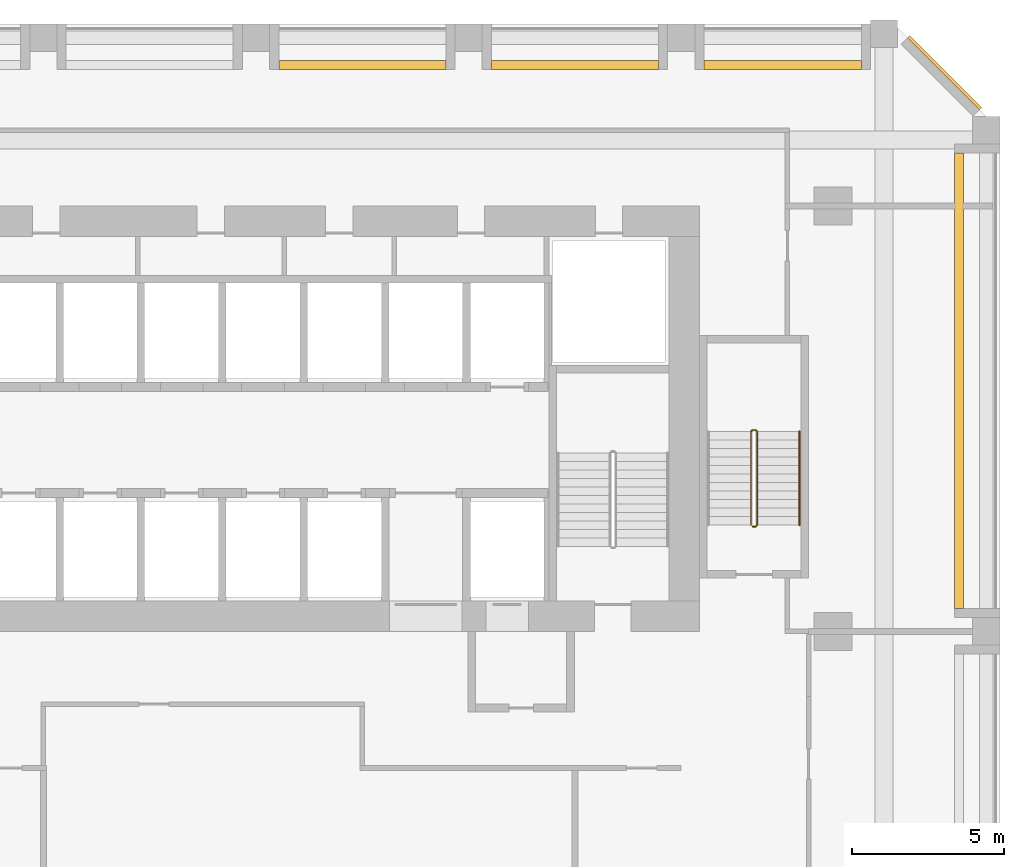
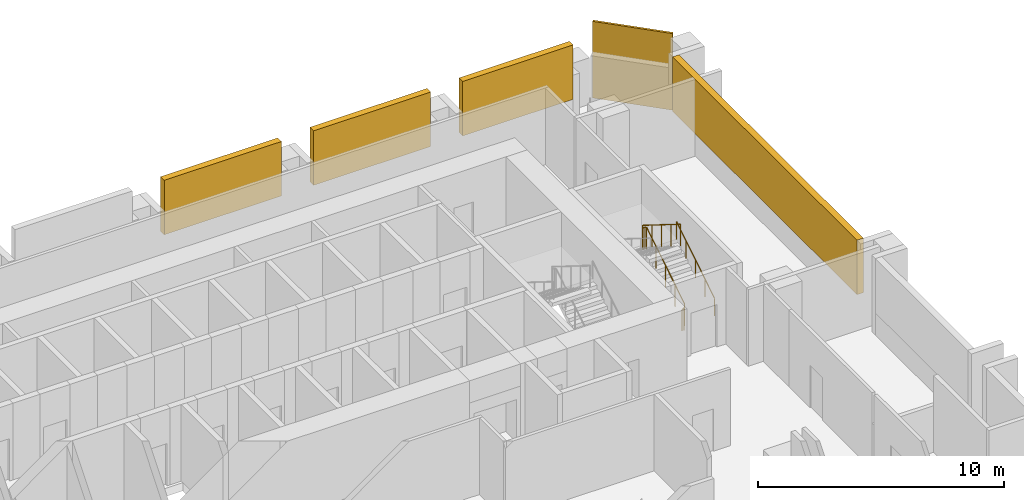
# One storey, part 10 of 10: 5 shading devices, 2 railings.
"""IFC4 building model written with IfcOpenShell, lengths in metres."""

from ifc_helpers import new_model, si_unit, direction, frame, origin, origin_2d, place, context, subcontext, project, spatial, rectangle, circle, extrude, source, transform, mapped, material, layer, layer_set, type_object, element, save


model = new_model("IFC4")

# Units and contexts
model_context = context("Model", 3, precision=1e-05, world=origin(), true_north=direction((0.0, 1.0)))
body_context = subcontext(model_context, "Body", "Model", "MODEL_VIEW")
ifc_project = project(units=[si_unit("LENGTHUNIT", "METRE"), si_unit("AREAUNIT", "SQUARE_METRE"), si_unit("VOLUMEUNIT", "CUBIC_METRE"), si_unit("PLANEANGLEUNIT", "RADIAN"), si_unit("MASSUNIT", "GRAM", prefix="KILO")], contexts=[model_context])

# Site, building, storey
site_placement = place(None, origin())
site = spatial("IfcSite", under=ifc_project, at=site_placement, CompositionType="ELEMENT")
building_placement = place(site_placement, origin())
building = spatial("IfcBuilding", under=site, at=building_placement, Name="Kilnfold Tower and Market Hall", CompositionType="ELEMENT")
storey_placement = place(building_placement, frame((0.0, 0.0, 59.0)))
storey = spatial("IfcBuildingStorey", under=building, at=storey_placement, Name="L13 Plant Transfer Level", CompositionType="ELEMENT", Elevation=59.0)

# Railings
ifc_material_1 = material(Name="Stainless steel 316", Category="steel")
railing_type_1 = type_object("IfcRailingType", Name="CORE STAIR GUARD 1100", PredefinedType="GUARDRAIL", material=ifc_material_1)
railing_1_placement = place(storey_placement, frame((19.85009765625, 11.449951171875, 0.0)))
element("IfcRailing", 1, at=railing_1_placement, inside=storey, type_object=railing_type_1, Name="L13 Plant Transfer Level ST5 stair guard 1", PredefinedType="GUARDRAIL", context=body_context, shape_type="SweptSolid", body=[
    extrude(circle(Radius=0.02392578125, at=origin_2d()), frame((0.0, 0.0, 1.076171875), z_axis=(1.0, 0.0, 0.0), x_axis=(0.0, 1.0, 0.0)), (0.0, 0.0, 1.0), 0.099853515625),
    extrude(circle(Radius=0.02392578125, at=origin_2d()), frame((0.099853515625, 0.0, 1.076171875), z_axis=(0.265065253269, 0.265065253269, 0.927081885822), x_axis=(-0.707106781187, 0.707106781187, 0.0)), (0.0, 0.0, 1.0), 0.188720703125),
    extrude(circle(Radius=0.02392578125, at=origin_2d()), frame((0.14990234375, 0.050048828125, 1.2509765625), z_axis=(0.0, 0.847998304005, 0.529998940003), x_axis=(-1.0, 0.0, 0.0)), (0.0, 0.0, 1.0), 3.632080078125),
    extrude(circle(Radius=0.02392578125, at=origin_2d()), frame((0.14990234375, 3.130126953125, 3.17626953125), z_axis=(-0.708833529934, 0.705375805398, 0.0), x_axis=(-0.705375805398, -0.708833529934, 0.0)), (0.0, 0.0, 1.0), 0.070556640625),
    extrude(circle(Radius=0.02392578125, at=origin_2d()), frame((0.099853515625, 3.179931640625, 3.17626953125), z_axis=(-1.0, 0.0, 0.0), x_axis=(0.0, -1.0, 0.0)), (0.0, 0.0, 1.0), 0.099853515625),
    extrude(circle(Radius=0.02392578125, at=origin_2d()), frame((0.0, 3.179931640625, 3.17626953125), z_axis=(-0.265474339444, -0.264179342666, 0.927217692888), x_axis=(0.705375805398, -0.708833529934, 0.0)), (0.0, 0.0, 1.0), 0.1884765625),
    extrude(circle(Radius=0.02392578125, at=origin_2d()), frame((-0.050048828125, 3.130126953125, 3.35107421875), z_axis=(0.0, -0.847998304005, 0.529998940003), x_axis=(1.0, 0.0, 0.0)), (0.0, 0.0, 1.0), 3.632080078125),
    extrude(circle(Radius=0.02099609375, at=origin_2d()), origin(), (0.0, 0.0, 1.0), 1.052001953125),
    extrude(circle(Radius=0.02099609375, at=origin_2d()), frame((0.099853515625, 0.0, 0.0)), (0.0, 0.0, 1.0), 1.052001953125),
    extrude(circle(Radius=0.02099609375, at=origin_2d()), frame((0.14990234375, 0.050048828125, 0.175048828125)), (0.0, 0.0, 1.0), 1.052001953125),
    extrude(circle(Radius=0.02099609375, at=origin_2d()), frame((0.14990234375, 0.820068359375, 0.65625)), (0.0, 0.0, 1.0), 1.052001953125),
    extrude(circle(Radius=0.02099609375, at=origin_2d()), frame((0.14990234375, 1.590087890625, 1.1376953125)), (0.0, 0.0, 1.0), 1.052001953125),
    extrude(circle(Radius=0.02099609375, at=origin_2d()), frame((0.14990234375, 2.360107421875, 1.618896484375)), (0.0, 0.0, 1.0), 1.052001953125),
    extrude(circle(Radius=0.02099609375, at=origin_2d()), frame((0.14990234375, 3.130126953125, 2.10009765625)), (0.0, 0.0, 1.0), 1.052001953125),
    extrude(circle(Radius=0.02099609375, at=origin_2d()), frame((0.099853515625, 3.179931640625, 2.10009765625)), (0.0, 0.0, 1.0), 1.052001953125),
    extrude(circle(Radius=0.02099609375, at=origin_2d()), frame((0.0, 3.179931640625, 2.10009765625)), (0.0, 0.0, 1.0), 1.052001953125),
    extrude(circle(Radius=0.02099609375, at=origin_2d()), frame((-0.050048828125, 3.130126953125, 2.27490234375)), (0.0, 0.0, 1.0), 1.052001953125),
    extrude(circle(Radius=0.02099609375, at=origin_2d()), frame((-0.050048828125, 2.360107421875, 2.756103515625)), (0.0, 0.0, 1.0), 1.052001953125),
    extrude(circle(Radius=0.02099609375, at=origin_2d()), frame((-0.050048828125, 1.590087890625, 3.2373046875)), (0.0, 0.0, 1.0), 1.052001953125),
    extrude(circle(Radius=0.02099609375, at=origin_2d()), frame((-0.050048828125, 0.820068359375, 3.71875)), (0.0, 0.0, 1.0), 1.052001953125),
    extrude(circle(Radius=0.02099609375, at=origin_2d()), frame((-0.050048828125, 0.050048828125, 4.199951171875)), (0.0, 0.0, 1.0), 1.052001953125),
])
ifc_material_2 = material(Name="Stainless steel 316", Category="steel")
railing_type_2 = type_object("IfcRailingType", Name="CORE STAIR HANDRAIL 900", PredefinedType="HANDRAIL", material=ifc_material_2)
railing_2_placement = place(storey_placement, frame((21.39990234375, 11.5, 0.175048828125)))
element("IfcRailing", 2, at=railing_2_placement, inside=storey, type_object=railing_type_2, Name="L13 Plant Transfer Level ST5 stair handrail 1", PredefinedType="HANDRAIL", context=body_context, shape_type="SweptSolid", body=[
    extrude(circle(Radius=0.02392578125, at=origin_2d()), frame((0.0, 0.0, 0.8759765625), z_axis=(0.0, 0.847998304005, 0.529998940003), x_axis=(-1.0, 0.0, 0.0)), (0.0, 0.0, 1.0), 3.632080078125),
    extrude(circle(Radius=0.02099609375, at=origin_2d()), origin(), (0.0, 0.0, 1.0), 0.851806640625),
    extrude(circle(Radius=0.02099609375, at=origin_2d()), frame((0.0, 0.77001953125, 0.481201171875)), (0.0, 0.0, 1.0), 0.851806640625),
    extrude(circle(Radius=0.02099609375, at=origin_2d()), frame((0.0, 1.5400390625, 0.96240234375)), (0.0, 0.0, 1.0), 0.851806640625),
    extrude(circle(Radius=0.02099609375, at=origin_2d()), frame((0.0, 2.31005859375, 1.44384765625)), (0.0, 0.0, 1.0), 0.851806640625),
    extrude(circle(Radius=0.02099609375, at=origin_2d()), frame((0.0, 3.080078125, 1.925048828125)), (0.0, 0.0, 1.0), 0.851806640625),
])

# Shading devices
ifc_material_3 = material(Name="Anodised aluminium", Category="aluminium")
shading_device_type_1 = type_object("IfcShadingDeviceType", Name="LOUVRE", PredefinedType="JALOUSIE", material=ifc_material_3)
shared_shape_1 = source(origin(), body_context, "Body", "SweptSolid", [
    extrude(rectangle(XDim=5.5, YDim=0.300048828125, at=origin_2d()), origin(), (0.0, 0.0, 1.0), 2.699951171875),
])
for number, where, z_axis, x_axis, name in (
    (3, (14.0, 26.64990234375, 1.10009765625), (0.0, 0.0, 1.0), (-1.0, 0.0, 0.0), "Plant louvre L13 N"),
    (4, (7.0, 26.64990234375, 1.10009765625), (0.0, 0.0, 1.0), (-1.0, 0.0, 0.0), "Plant louvre L13 N"),
):
    element("IfcShadingDevice", number, at=place(storey_placement, frame(where, z_axis=z_axis, x_axis=x_axis)), inside=storey, type_object=shading_device_type_1, Name=name, ObjectType="LOUVRE", PredefinedType="JALOUSIE", context=body_context, shape_type="MappedRepresentation", body=[
        mapped(shared_shape_1, transform((0.0, 0.0, 0.0))),
    ])
ifc_material_4 = material(Name="Terracotta", Category="masonry")
ifc_layer = layer(ifc_material_4, 0.10009765625)
ifc_layer_set = layer_set([ifc_layer], Name="Terracotta")
shading_device_type_2 = type_object("IfcShadingDeviceType", Name="TERRACOTTA SCREEN 100", PredefinedType="USERDEFINED", material=ifc_layer_set)
shared_shape_2 = source(origin(), body_context, "Body", "SweptSolid", [
    extrude(rectangle(XDim=3.35888671875, YDim=0.10009765625, at=origin_2d()), origin(), (0.0, 0.0, 1.0), 3.800048828125),
])
shading_device_1_placement = place(storey_placement, frame((26.1728515625, 26.39794921875, 0.0), z_axis=(0.0, 0.0, 1.0), x_axis=(-0.707106781187, 0.707106781187, 0.0)))
element("IfcShadingDevice", 5, at=shading_device_1_placement, inside=storey, type_object=shading_device_type_2, Name="Plant screen L13 NE", ObjectType="SCREEN", PredefinedType="USERDEFINED", context=body_context, shape_type="MappedRepresentation", body=[
    mapped(shared_shape_2, transform((0.0, 0.0, 0.0))),
])
shared_shape_3 = source(origin(), body_context, "Body", "SweptSolid", [
    extrude(rectangle(XDim=15.0, YDim=0.300048828125, at=origin_2d()), origin(), (0.0, 0.0, 1.0), 2.699951171875),
])
shading_device_2_placement = place(storey_placement, frame((26.64990234375, 16.25, 1.10009765625), z_axis=(0.0, 0.0, 1.0), x_axis=(0.0, 1.0, 0.0)))
element("IfcShadingDevice", 6, at=shading_device_2_placement, inside=storey, type_object=shading_device_type_1, Name="Plant louvre L13 E", ObjectType="LOUVRE", PredefinedType="JALOUSIE", context=body_context, shape_type="MappedRepresentation", body=[
    mapped(shared_shape_3, transform((0.0, 0.0, 0.0))),
])
shared_shape_4 = source(origin(), body_context, "Body", "SweptSolid", [
    extrude(rectangle(XDim=5.181884765625, YDim=0.300048828125, at=origin_2d()), origin(), (0.0, 0.0, 1.0), 2.699951171875),
])
shading_device_3_placement = place(storey_placement, frame((20.8408203125, 26.64990234375, 1.10009765625), z_axis=(0.0, 0.0, 1.0), x_axis=(-1.0, 0.0, 0.0)))
element("IfcShadingDevice", 7, at=shading_device_3_placement, inside=storey, type_object=shading_device_type_1, Name="Plant louvre L13 N", ObjectType="LOUVRE", PredefinedType="JALOUSIE", context=body_context, shape_type="MappedRepresentation", body=[
    mapped(shared_shape_4, transform((0.0, 0.0, 0.0))),
])

save(model, "model.ifc")
